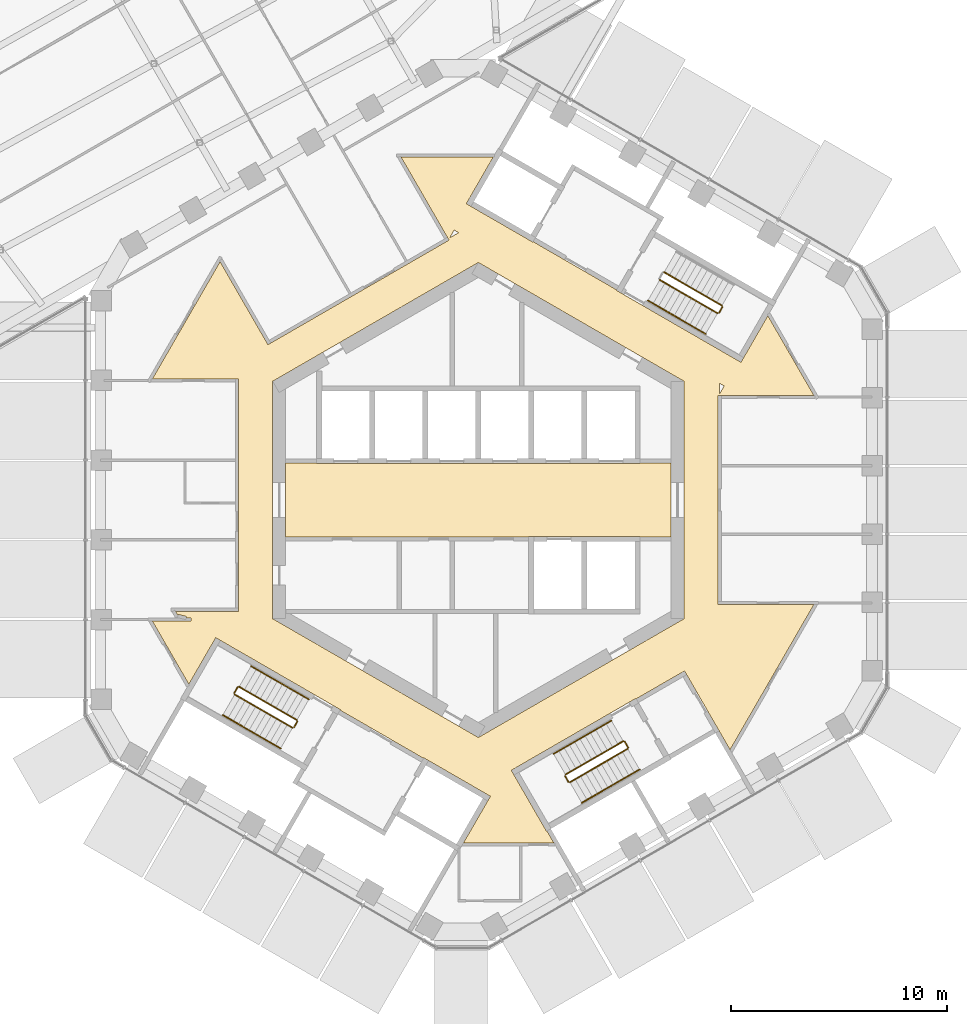
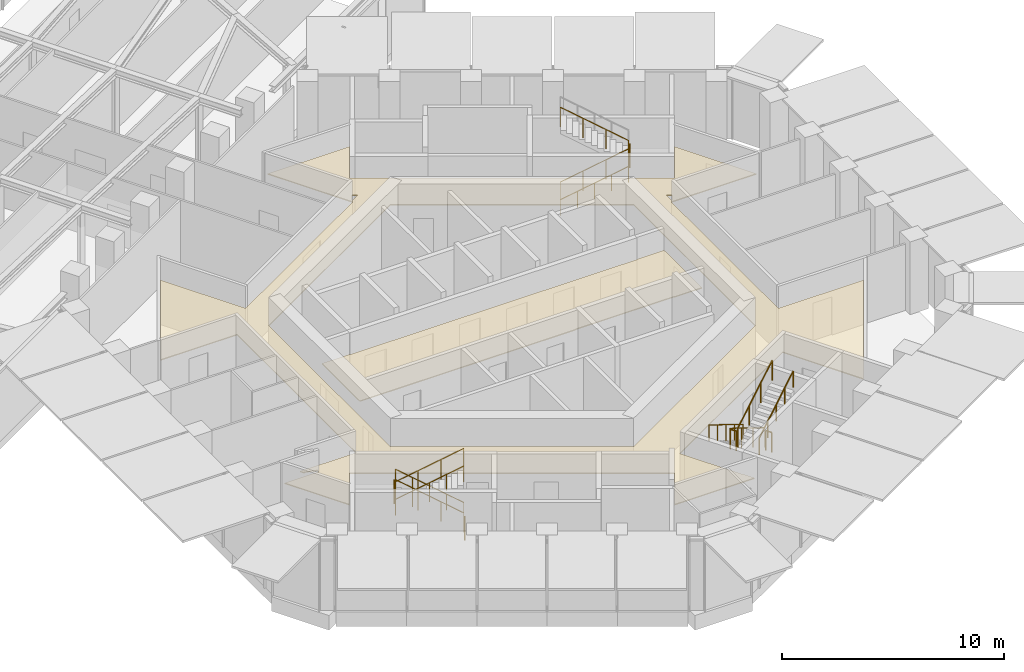
# One storey, part 26 of 27: 21 railings, 2 coverings.
"""IFC4 building model written with IfcOpenShell, lengths in metres."""

from ifc_helpers import new_model, si_unit, direction, frame, origin, origin_2d, place, context, subcontext, project, spatial, polyline, circle, outline, extrude, material, layer, layer_set, type_object, element, save


model = new_model("IFC4")

# Units and contexts
model_context = context("Model", 3, precision=1e-05, world=origin(), true_north=direction((0.0, 1.0)))
body_context = subcontext(model_context, "Body", "Model", "MODEL_VIEW")
ifc_project = project(units=[si_unit("LENGTHUNIT", "METRE"), si_unit("AREAUNIT", "SQUARE_METRE"), si_unit("VOLUMEUNIT", "CUBIC_METRE"), si_unit("PLANEANGLEUNIT", "RADIAN"), si_unit("MASSUNIT", "GRAM", prefix="KILO")], contexts=[model_context])

# Site, building, storey
site_placement = place(None, origin())
site = spatial("IfcSite", under=ifc_project, at=site_placement, CompositionType="ELEMENT")
building_placement = place(site_placement, origin())
building = spatial("IfcBuilding", under=site, at=building_placement, Name="Ayvan Gate Tower", CompositionType="ELEMENT")
storey_placement = place(building_placement, frame((0.0, 0.0, 194.699951171875)))
storey = spatial("IfcBuildingStorey", under=building, at=storey_placement, Name="L52", CompositionType="ELEMENT", Elevation=194.699951171875)

# Coverings
ifc_material_1 = material(Name="Plasterboard suspended ceiling")
ifc_layer = layer(ifc_material_1, 0.050048828125)
ifc_layer_set = layer_set([ifc_layer], Name="Plasterboard suspended ceiling")
covering_type = type_object("IfcCoveringType", Name="CT-SUSP-50", PredefinedType="CEILING", material=ifc_layer_set)
covering_1_placement = place(storey_placement, frame((0.0, 0.0, 2.400146484375)))
element("IfcCovering", 1, at=covering_1_placement, inside=storey, type_object=covering_type, Name="Ceiling Lift Lobby L52", PredefinedType="CEILING", context=body_context, shape_type="SweptSolid", body=[
    extrude(outline(polyline([(7.47509765625, -1.675048828125), (2.324951171875, -1.675048828125), (2.324951171875, -1.699951171875), (-8.89990234375, -1.699951171875), (-8.89990234375, 1.699951171875), (-7.47509765625, 1.699951171875), (-7.47509765625, 1.675048828125), (7.47509765625, 1.675048828125), (7.47509765625, 1.699951171875), (8.89990234375, 1.699951171875), (8.89990234375, -1.699951171875), (7.47509765625, -1.699951171875), (7.47509765625, -1.675048828125)])), origin(), (0.0, 0.0, 1.0), 0.0498046875),
])
covering_2_placement = place(storey_placement, frame((0.0, 0.0, 2.400146484375)))
element("IfcCovering", 2, at=covering_2_placement, inside=storey, type_object=covering_type, Name="Ceiling Ring Corridor L52", PredefinedType="CEILING", context=body_context, shape_type="SweptSolid", body=[
    extrude(outline(polyline([(-13.9931640625, -5.1396484375), (-11.074951171875, -5.1396484375), (-11.074951171875, 5.589599609375), (-15.060546875, 5.589599609375), (-11.93115234375, 11.009765625), (-9.718505859375, 7.17724609375), (-9.588623046875, 7.252197265625), (-1.3564453125, 12.005126953125), (-1.392333984375, 12.067138671875), (-1.42138671875, 12.11767578125), (-3.569091796875, 15.837646484375), (0.685791015625, 15.837646484375), (-0.55615234375, 13.686767578125), (-0.339599609375, 13.561767578125), (2.518310546875, 11.91162109375), (2.53076171875, 11.933349609375), (6.384521484375, 9.70849609375), (6.3720703125, 9.686767578125), (6.588623046875, 9.561767578125), (12.131103515625, 6.36181640625), (12.24609375, 6.56103515625), (13.373046875, 8.5126953125), (15.50048828125, 4.827880859375), (11.074951171875, 4.827880859375), (11.074951171875, -4.827880859375), (15.50048828125, -4.827880859375), (11.62646484375, -11.53759765625), (11.1337890625, -10.6845703125), (11.123779296875, -10.667236328125), (9.623779296875, -8.069091796875), (9.52392578125, -7.89599609375), (7.2939453125, -9.183349609375), (7.281494140625, -9.16162109375), (1.522216796875, -12.48681640625), (1.647216796875, -12.703369140625), (3.147216796875, -15.30126953125), (3.1689453125, -15.288818359375), (3.48583984375, -15.837646484375), (-0.685791015625, -15.837646484375), (0.43115234375, -13.9033203125), (0.55615234375, -13.686767578125), (-2.284423828125, -12.046630859375), (-2.518310546875, -11.91162109375), (-2.53076171875, -11.933349609375), (-6.384521484375, -9.70849609375), (-6.3720703125, -9.686767578125), (-11.897216796875, -6.49658203125), (-12.131103515625, -6.36181640625), (-13.373046875, -8.5126953125), (-15.060546875, -5.589599609375), (-13.271240234375, -5.589599609375), (-13.271240234375, -5.439697265625), (-13.482177734375, -5.439697265625), (-13.46875, -5.3876953125), (-13.869140625, -5.28515625), (-13.8798828125, -5.327392578125), (-13.9931640625, -5.1396484375)]), holes=[polyline([(11.35546875, 5.26806640625), (11.14990234375, 5.38671875), (11.14990234375, 4.912353515625), (11.35546875, 5.26806640625)]), polyline([(0.0, -10.9697265625), (1.614501953125, -10.03759765625), (8.38720703125, -6.127197265625), (9.199951171875, -5.657958984375), (9.5, -5.48486328125), (9.5, 5.48486328125), (0.300048828125, 10.79638671875), (0.0, 10.9697265625), (-8.8662109375, 5.850830078125), (-8.96484375, 5.793701171875), (-9.058837890625, 5.739501953125), (-9.231689453125, 5.639892578125), (-9.5, 5.48486328125), (-9.5, -5.48486328125), (-9.199951171875, -5.657958984375), (0.0, -10.9697265625)]), polyline([(-0.909912109375, 12.349609375), (-1.115478515625, 12.468017578125), (-1.32080078125, 12.1123046875), (-0.909912109375, 12.349609375)])]), origin(), (0.0, 0.0, 1.0), 0.0498046875),
])

# Railings
ifc_material_2 = material(Name="Stainless steel balustrade", Category="steel")
railing_type_1 = type_object("IfcRailingType", Name="RL-GUARD-1100", PredefinedType="GUARDRAIL", material=ifc_material_2)
railing_1_placement = place(storey_placement, frame((8.381103515625, 10.16650390625, 0.166748046875)))
element("IfcRailing", 3, at=railing_1_placement, inside=storey, type_object=railing_type_1, Name="L52 STS1 stair guard 1", PredefinedType="GUARDRAIL", context=body_context, shape_type="SweptSolid", body=[
    extrude(circle(Radius=0.02392578125, at=origin_2d()), frame((0.0, 0.0, 1.076171875), z_axis=(0.744189839504, -0.429649414936, 0.511451721109), x_axis=(0.499992328818, 0.866029832698, 0.0)), (0.0, 0.0, 1.0), 3.58447265625),
    extrude(circle(Radius=0.02099609375, at=origin_2d()), origin(), (0.0, 0.0, 1.0), 1.052001953125),
    extrude(circle(Radius=0.02099609375, at=origin_2d()), frame((0.88916015625, -0.513427734375, 0.611083984375)), (0.0, 0.0, 1.0), 1.052001953125),
    extrude(circle(Radius=0.02099609375, at=origin_2d()), frame((1.7783203125, -1.026611328125, 1.22216796875)), (0.0, 0.0, 1.0), 1.052001953125),
    extrude(circle(Radius=0.02099609375, at=origin_2d()), frame((2.66748046875, -1.5400390625, 1.833251953125)), (0.0, 0.0, 1.0), 1.052001953125),
])
railing_2_placement = place(storey_placement, frame((11.11669921875, 8.644775390625, 2.0)))
element("IfcRailing", 4, at=railing_2_placement, inside=storey, type_object=railing_type_1, Name="L52 STS1 stair guard 2", PredefinedType="GUARDRAIL", context=body_context, shape_type="SweptSolid", body=[
    extrude(circle(Radius=0.02392578125, at=origin_2d()), frame((0.0, 0.0, 1.076171875), z_axis=(0.499949632511, 0.866054481515, 0.0), x_axis=(-0.866054481515, 0.499949632511, 0.0)), (0.0, 0.0, 1.0), 0.31005859375),
    extrude(circle(Radius=0.02099609375, at=origin_2d()), origin(), (0.0, 0.0, 1.0), 1.052001953125),
    extrude(circle(Radius=0.02099609375, at=origin_2d()), frame((0.155029296875, 0.2685546875, 0.0)), (0.0, 0.0, 1.0), 1.052001953125),
])
railing_3_placement = place(storey_placement, frame((11.25341796875, 8.981689453125, 2.166748046875)))
element("IfcRailing", 5, at=railing_3_placement, inside=storey, type_object=railing_type_1, Name="L52 STS1 stair guard 3", PredefinedType="GUARDRAIL", context=body_context, shape_type="SweptSolid", body=[
    extrude(circle(Radius=0.02392578125, at=origin_2d()), frame((0.0, 0.0, 1.076171875), z_axis=(-0.74418122563, 0.429615651263, 0.511492615401), x_axis=(-0.499967199496, -0.866044340336, 0.0)), (0.0, 0.0, 1.0), 3.584228515625),
    extrude(circle(Radius=0.02099609375, at=origin_2d()), origin(), (0.0, 0.0, 1.0), 1.052001953125),
    extrude(circle(Radius=0.02099609375, at=origin_2d()), frame((-0.88916015625, 0.51318359375, 0.611083984375)), (0.0, 0.0, 1.0), 1.052001953125),
    extrude(circle(Radius=0.02099609375, at=origin_2d()), frame((-1.778076171875, 1.026611328125, 1.22216796875)), (0.0, 0.0, 1.0), 1.052001953125),
    extrude(circle(Radius=0.02099609375, at=origin_2d()), frame((-2.667236328125, 1.539794921875, 1.833251953125)), (0.0, 0.0, 1.0), 1.052001953125),
])
railing_4_placement = place(storey_placement, frame((-8.381103515625, -10.16650390625, 0.166748046875)))
element("IfcRailing", 6, at=railing_4_placement, inside=storey, type_object=railing_type_1, Name="L52 STS2 stair guard 1", PredefinedType="GUARDRAIL", context=body_context, shape_type="SweptSolid", body=[
    extrude(circle(Radius=0.02392578125, at=origin_2d()), frame((0.0, 0.0, 1.076171875), z_axis=(-0.744189839504, 0.429649414936, 0.511451721109), x_axis=(-0.499992328818, -0.866029832698, 0.0)), (0.0, 0.0, 1.0), 3.58447265625),
    extrude(circle(Radius=0.02099609375, at=origin_2d()), origin(), (0.0, 0.0, 1.0), 1.052001953125),
    extrude(circle(Radius=0.02099609375, at=origin_2d()), frame((-0.88916015625, 0.513427734375, 0.611083984375)), (0.0, 0.0, 1.0), 1.052001953125),
    extrude(circle(Radius=0.02099609375, at=origin_2d()), frame((-1.7783203125, 1.026611328125, 1.22216796875)), (0.0, 0.0, 1.0), 1.052001953125),
    extrude(circle(Radius=0.02099609375, at=origin_2d()), frame((-2.66748046875, 1.5400390625, 1.833251953125)), (0.0, 0.0, 1.0), 1.052001953125),
])
railing_5_placement = place(storey_placement, frame((-11.11669921875, -8.644775390625, 2.0)))
element("IfcRailing", 7, at=railing_5_placement, inside=storey, type_object=railing_type_1, Name="L52 STS2 stair guard 2", PredefinedType="GUARDRAIL", context=body_context, shape_type="SweptSolid", body=[
    extrude(circle(Radius=0.02392578125, at=origin_2d()), frame((0.0, 0.0, 1.076171875), z_axis=(-0.499949632511, -0.866054481515, 0.0), x_axis=(0.866054481515, -0.499949632511, 0.0)), (0.0, 0.0, 1.0), 0.31005859375),
    extrude(circle(Radius=0.02099609375, at=origin_2d()), origin(), (0.0, 0.0, 1.0), 1.052001953125),
    extrude(circle(Radius=0.02099609375, at=origin_2d()), frame((-0.155029296875, -0.2685546875, 0.0)), (0.0, 0.0, 1.0), 1.052001953125),
])
railing_6_placement = place(storey_placement, frame((-11.25341796875, -8.981689453125, 2.166748046875)))
element("IfcRailing", 8, at=railing_6_placement, inside=storey, type_object=railing_type_1, Name="L52 STS2 stair guard 3", PredefinedType="GUARDRAIL", context=body_context, shape_type="SweptSolid", body=[
    extrude(circle(Radius=0.02392578125, at=origin_2d()), frame((0.0, 0.0, 1.076171875), z_axis=(0.74418122563, -0.429615651263, 0.511492615401), x_axis=(0.499967199496, 0.866044340336, 0.0)), (0.0, 0.0, 1.0), 3.584228515625),
    extrude(circle(Radius=0.02099609375, at=origin_2d()), origin(), (0.0, 0.0, 1.0), 1.052001953125),
    extrude(circle(Radius=0.02099609375, at=origin_2d()), frame((0.88916015625, -0.51318359375, 0.611083984375)), (0.0, 0.0, 1.0), 1.052001953125),
    extrude(circle(Radius=0.02099609375, at=origin_2d()), frame((1.778076171875, -1.026611328125, 1.22216796875)), (0.0, 0.0, 1.0), 1.052001953125),
    extrude(circle(Radius=0.02099609375, at=origin_2d()), frame((2.667236328125, -1.539794921875, 1.833251953125)), (0.0, 0.0, 1.0), 1.052001953125),
])
railing_7_placement = place(storey_placement, frame((-8.36279296875, -10.23486328125, 0.0)))
element("IfcRailing", 9, at=railing_7_placement, inside=storey, type_object=railing_type_1, Name="L52 STS2 stair guard 4", PredefinedType="GUARDRAIL", context=body_context, shape_type="SweptSolid", body=[
    extrude(circle(Radius=0.02392578125, at=origin_2d()), frame((0.0, 0.0, 1.076171875), z_axis=(-0.500290723946, -0.86585748916, 0.0), x_axis=(0.86585748916, -0.500290723946, 0.0)), (0.0, 0.0, 1.0), 0.309814453125),
    extrude(circle(Radius=0.02099609375, at=origin_2d()), origin(), (0.0, 0.0, 1.0), 1.052001953125),
    extrude(circle(Radius=0.02099609375, at=origin_2d()), frame((-0.155029296875, -0.268310546875, 0.0)), (0.0, 0.0, 1.0), 1.052001953125),
])
railing_8_placement = place(storey_placement, frame((6.6923828125, -11.1416015625, 0.166748046875)))
element("IfcRailing", 10, at=railing_8_placement, inside=storey, type_object=railing_type_1, Name="L52 STS3 stair guard 1", PredefinedType="GUARDRAIL", context=body_context, shape_type="SweptSolid", body=[
    extrude(circle(Radius=0.02392578125, at=origin_2d()), frame((0.0, 0.0, 1.076171875), z_axis=(-0.744211616859, -0.429593874019, 0.511466687808), x_axis=(0.499932877268, -0.866064153644, 0.0)), (0.0, 0.0, 1.0), 3.584228515625),
    extrude(circle(Radius=0.02099609375, at=origin_2d()), origin(), (0.0, 0.0, 1.0), 1.052001953125),
    extrude(circle(Radius=0.02099609375, at=origin_2d()), frame((-0.88916015625, -0.51318359375, 0.611083984375)), (0.0, 0.0, 1.0), 1.052001953125),
    extrude(circle(Radius=0.02099609375, at=origin_2d()), frame((-1.7783203125, -1.026611328125, 1.22216796875)), (0.0, 0.0, 1.0), 1.052001953125),
    extrude(circle(Radius=0.02099609375, at=origin_2d()), frame((-2.66748046875, -1.539794921875, 1.833251953125)), (0.0, 0.0, 1.0), 1.052001953125),
])
railing_9_placement = place(storey_placement, frame((4.006591796875, -12.749755859375, 2.0)))
element("IfcRailing", 11, at=railing_9_placement, inside=storey, type_object=railing_type_1, Name="L52 STS3 stair guard 2", PredefinedType="GUARDRAIL", context=body_context, shape_type="SweptSolid", body=[
    extrude(circle(Radius=0.02392578125, at=origin_2d()), frame((0.0, 0.0, 1.076171875), z_axis=(0.499949632511, -0.866054481515, 0.0), x_axis=(0.866054481515, 0.499949632511, 0.0)), (0.0, 0.0, 1.0), 0.31005859375),
    extrude(circle(Radius=0.02099609375, at=origin_2d()), origin(), (0.0, 0.0, 1.0), 1.052001953125),
    extrude(circle(Radius=0.02099609375, at=origin_2d()), frame((0.155029296875, -0.2685546875, 0.0)), (0.0, 0.0, 1.0), 1.052001953125),
])
railing_10_placement = place(storey_placement, frame((4.22998046875, -13.03662109375, 2.166748046875)))
element("IfcRailing", 12, at=railing_10_placement, inside=storey, type_object=railing_type_1, Name="L52 STS3 stair guard 3", PredefinedType="GUARDRAIL", context=body_context, shape_type="SweptSolid", body=[
    extrude(circle(Radius=0.02392578125, at=origin_2d()), frame((0.0, 0.0, 1.076171875), z_axis=(0.744189839504, 0.429649414936, 0.511451721109), x_axis=(-0.499992328818, 0.866029832698, 0.0)), (0.0, 0.0, 1.0), 3.58447265625),
    extrude(circle(Radius=0.02099609375, at=origin_2d()), origin(), (0.0, 0.0, 1.0), 1.052001953125),
    extrude(circle(Radius=0.02099609375, at=origin_2d()), frame((0.88916015625, 0.513427734375, 0.611083984375)), (0.0, 0.0, 1.0), 1.052001953125),
    extrude(circle(Radius=0.02099609375, at=origin_2d()), frame((1.7783203125, 1.026611328125, 1.22216796875)), (0.0, 0.0, 1.0), 1.052001953125),
    extrude(circle(Radius=0.02099609375, at=origin_2d()), frame((2.66748046875, 1.5400390625, 1.833251953125)), (0.0, 0.0, 1.0), 1.052001953125),
])
railing_11_placement = place(storey_placement, frame((6.7607421875, -11.159912109375, 0.0)))
element("IfcRailing", 13, at=railing_11_placement, inside=storey, type_object=railing_type_1, Name="L52 STS3 stair guard 4", PredefinedType="GUARDRAIL", context=body_context, shape_type="SweptSolid", body=[
    extrude(circle(Radius=0.02392578125, at=origin_2d()), frame((0.0, 0.0, 1.076171875), z_axis=(0.500290723946, -0.86585748916, 0.0), x_axis=(0.86585748916, 0.500290723946, 0.0)), (0.0, 0.0, 1.0), 0.309814453125),
    extrude(circle(Radius=0.02099609375, at=origin_2d()), origin(), (0.0, 0.0, 1.0), 1.052001953125),
    extrude(circle(Radius=0.02099609375, at=origin_2d()), frame((0.155029296875, -0.268310546875, 0.0)), (0.0, 0.0, 1.0), 1.052001953125),
])
railing_type_2 = type_object("IfcRailingType", Name="RL-HANDRAIL-900", PredefinedType="HANDRAIL", material=ifc_material_2)
railing_12_placement = place(storey_placement, frame((7.8310546875, 9.2138671875, 0.166748046875)))
element("IfcRailing", 14, at=railing_12_placement, inside=storey, type_object=railing_type_2, Name="L52 STS1 stair handrail 1", PredefinedType="HANDRAIL", context=body_context, shape_type="SweptSolid", body=[
    extrude(circle(Radius=0.02392578125, at=origin_2d()), frame((0.0, 0.0, 0.8759765625), z_axis=(0.7441639146, -0.429634447492, 0.511502013422), x_axis=(0.499992328818, 0.866029832698, 0.0)), (0.0, 0.0, 1.0), 1.792236328125),
    extrude(circle(Radius=0.02099609375, at=origin_2d()), origin(), (0.0, 0.0, 1.0), 0.851806640625),
    extrude(circle(Radius=0.02099609375, at=origin_2d()), frame((0.6669921875, -0.385009765625, 0.45849609375)), (0.0, 0.0, 1.0), 0.851806640625),
    extrude(circle(Radius=0.02099609375, at=origin_2d()), frame((1.333740234375, -0.77001953125, 0.916748046875)), (0.0, 0.0, 1.0), 0.851806640625),
])
railing_13_placement = place(storey_placement, frame((9.164794921875, 8.44384765625, 1.08349609375)))
element("IfcRailing", 15, at=railing_13_placement, inside=storey, type_object=railing_type_2, Name="L52 STS1 stair handrail 2", PredefinedType="HANDRAIL", context=body_context, shape_type="SweptSolid", body=[
    extrude(circle(Radius=0.02392578125, at=origin_2d()), frame((0.0, 0.0, 0.8759765625), z_axis=(0.744215763664, -0.42966438195, 0.511401423539), x_axis=(0.499992328818, 0.866029832698, 0.0)), (0.0, 0.0, 1.0), 1.792236328125),
    extrude(circle(Radius=0.02099609375, at=origin_2d()), origin(), (0.0, 0.0, 1.0), 0.851806640625),
    extrude(circle(Radius=0.02099609375, at=origin_2d()), frame((0.6669921875, -0.385009765625, 0.458251953125)), (0.0, 0.0, 1.0), 0.851806640625),
    extrude(circle(Radius=0.02099609375, at=origin_2d()), frame((1.333740234375, -0.77001953125, 0.91650390625)), (0.0, 0.0, 1.0), 0.851806640625),
])
railing_14_placement = place(storey_placement, frame((-7.8310546875, -9.2138671875, 0.166748046875)))
element("IfcRailing", 16, at=railing_14_placement, inside=storey, type_object=railing_type_2, Name="L52 STS2 stair handrail 1", PredefinedType="HANDRAIL", context=body_context, shape_type="SweptSolid", body=[
    extrude(circle(Radius=0.02392578125, at=origin_2d()), frame((0.0, 0.0, 0.8759765625), z_axis=(-0.7441639146, 0.429634447492, 0.511502013422), x_axis=(-0.499992328818, -0.866029832698, 0.0)), (0.0, 0.0, 1.0), 1.792236328125),
    extrude(circle(Radius=0.02099609375, at=origin_2d()), origin(), (0.0, 0.0, 1.0), 0.851806640625),
    extrude(circle(Radius=0.02099609375, at=origin_2d()), frame((-0.6669921875, 0.385009765625, 0.45849609375)), (0.0, 0.0, 1.0), 0.851806640625),
    extrude(circle(Radius=0.02099609375, at=origin_2d()), frame((-1.333740234375, 0.77001953125, 0.916748046875)), (0.0, 0.0, 1.0), 0.851806640625),
])
railing_15_placement = place(storey_placement, frame((-9.164794921875, -8.44384765625, 1.08349609375)))
element("IfcRailing", 17, at=railing_15_placement, inside=storey, type_object=railing_type_2, Name="L52 STS2 stair handrail 2", PredefinedType="HANDRAIL", context=body_context, shape_type="SweptSolid", body=[
    extrude(circle(Radius=0.02392578125, at=origin_2d()), frame((0.0, 0.0, 0.8759765625), z_axis=(-0.744215763664, 0.42966438195, 0.511401423539), x_axis=(-0.499992328818, -0.866029832698, 0.0)), (0.0, 0.0, 1.0), 1.792236328125),
    extrude(circle(Radius=0.02099609375, at=origin_2d()), origin(), (0.0, 0.0, 1.0), 0.851806640625),
    extrude(circle(Radius=0.02099609375, at=origin_2d()), frame((-0.6669921875, 0.385009765625, 0.458251953125)), (0.0, 0.0, 1.0), 0.851806640625),
    extrude(circle(Radius=0.02099609375, at=origin_2d()), frame((-1.333740234375, 0.77001953125, 0.91650390625)), (0.0, 0.0, 1.0), 0.851806640625),
])
railing_16_placement = place(storey_placement, frame((-11.803466796875, -9.93408203125, 2.166748046875)))
element("IfcRailing", 18, at=railing_16_placement, inside=storey, type_object=railing_type_2, Name="L52 STS2 stair handrail 3", PredefinedType="HANDRAIL", context=body_context, shape_type="SweptSolid", body=[
    extrude(circle(Radius=0.02392578125, at=origin_2d()), frame((0.0, 0.0, 0.8759765625), z_axis=(0.7441639146, -0.429634447492, 0.511502013422), x_axis=(0.499992328818, 0.866029832698, 0.0)), (0.0, 0.0, 1.0), 1.792236328125),
    extrude(circle(Radius=0.02099609375, at=origin_2d()), origin(), (0.0, 0.0, 1.0), 0.851806640625),
    extrude(circle(Radius=0.02099609375, at=origin_2d()), frame((0.6669921875, -0.385009765625, 0.45849609375)), (0.0, 0.0, 1.0), 0.851806640625),
    extrude(circle(Radius=0.02099609375, at=origin_2d()), frame((1.333740234375, -0.77001953125, 0.916748046875)), (0.0, 0.0, 1.0), 0.851806640625),
])
railing_17_placement = place(storey_placement, frame((-10.4697265625, -10.7041015625, 3.08349609375)))
element("IfcRailing", 19, at=railing_17_placement, inside=storey, type_object=railing_type_2, Name="L52 STS2 stair handrail 4", PredefinedType="HANDRAIL", context=body_context, shape_type="SweptSolid", body=[
    extrude(circle(Radius=0.02392578125, at=origin_2d()), frame((0.0, 0.0, 0.8759765625), z_axis=(0.744215763664, -0.42966438195, 0.511401423539), x_axis=(0.499992328818, 0.866029832698, 0.0)), (0.0, 0.0, 1.0), 1.792236328125),
    extrude(circle(Radius=0.02099609375, at=origin_2d()), origin(), (0.0, 0.0, 1.0), 0.851806640625),
    extrude(circle(Radius=0.02099609375, at=origin_2d()), frame((0.6669921875, -0.385009765625, 0.458251953125)), (0.0, 0.0, 1.0), 0.851806640625),
    extrude(circle(Radius=0.02099609375, at=origin_2d()), frame((1.333740234375, -0.77001953125, 0.91650390625)), (0.0, 0.0, 1.0), 0.851806640625),
])
railing_18_placement = place(storey_placement, frame((6.142333984375, -10.18896484375, 0.166748046875)))
element("IfcRailing", 20, at=railing_18_placement, inside=storey, type_object=railing_type_2, Name="L52 STS3 stair handrail 1", PredefinedType="HANDRAIL", context=body_context, shape_type="SweptSolid", body=[
    extrude(circle(Radius=0.02392578125, at=origin_2d()), frame((0.0, 0.0, 0.8759765625), z_axis=(-0.7441639146, -0.429634447492, 0.511502013422), x_axis=(0.499992328818, -0.866029832698, 0.0)), (0.0, 0.0, 1.0), 1.792236328125),
    extrude(circle(Radius=0.02099609375, at=origin_2d()), origin(), (0.0, 0.0, 1.0), 0.851806640625),
    extrude(circle(Radius=0.02099609375, at=origin_2d()), frame((-0.6669921875, -0.385009765625, 0.45849609375)), (0.0, 0.0, 1.0), 0.851806640625),
    extrude(circle(Radius=0.02099609375, at=origin_2d()), frame((-1.333740234375, -0.77001953125, 0.916748046875)), (0.0, 0.0, 1.0), 0.851806640625),
])
railing_19_placement = place(storey_placement, frame((4.80859375, -10.958984375, 1.08349609375)))
element("IfcRailing", 21, at=railing_19_placement, inside=storey, type_object=railing_type_2, Name="L52 STS3 stair handrail 2", PredefinedType="HANDRAIL", context=body_context, shape_type="SweptSolid", body=[
    extrude(circle(Radius=0.02392578125, at=origin_2d()), frame((0.0, 0.0, 0.8759765625), z_axis=(-0.744198540083, -0.429596850399, 0.511483214843), x_axis=(0.499942064311, -0.866058850386, 0.0)), (0.0, 0.0, 1.0), 1.791748046875),
    extrude(circle(Radius=0.02099609375, at=origin_2d()), origin(), (0.0, 0.0, 1.0), 0.851806640625),
    extrude(circle(Radius=0.02099609375, at=origin_2d()), frame((-0.666748046875, -0.384765625, 0.458251953125)), (0.0, 0.0, 1.0), 0.851806640625),
    extrude(circle(Radius=0.02099609375, at=origin_2d()), frame((-1.33349609375, -0.769775390625, 0.91650390625)), (0.0, 0.0, 1.0), 0.851806640625),
])
railing_20_placement = place(storey_placement, frame((4.780029296875, -13.9892578125, 2.166748046875)))
element("IfcRailing", 22, at=railing_20_placement, inside=storey, type_object=railing_type_2, Name="L52 STS3 stair handrail 3", PredefinedType="HANDRAIL", context=body_context, shape_type="SweptSolid", body=[
    extrude(circle(Radius=0.02392578125, at=origin_2d()), frame((0.0, 0.0, 0.8759765625), z_axis=(0.7441639146, 0.429634447492, 0.511502013422), x_axis=(-0.499992328818, 0.866029832698, 0.0)), (0.0, 0.0, 1.0), 1.792236328125),
    extrude(circle(Radius=0.02099609375, at=origin_2d()), origin(), (0.0, 0.0, 1.0), 0.851806640625),
    extrude(circle(Radius=0.02099609375, at=origin_2d()), frame((0.6669921875, 0.385009765625, 0.45849609375)), (0.0, 0.0, 1.0), 0.851806640625),
    extrude(circle(Radius=0.02099609375, at=origin_2d()), frame((1.333740234375, 0.77001953125, 0.916748046875)), (0.0, 0.0, 1.0), 0.851806640625),
])
railing_21_placement = place(storey_placement, frame((6.11376953125, -13.21923828125, 3.08349609375)))
element("IfcRailing", 23, at=railing_21_placement, inside=storey, type_object=railing_type_2, Name="L52 STS3 stair handrail 4", PredefinedType="HANDRAIL", context=body_context, shape_type="SweptSolid", body=[
    extrude(circle(Radius=0.02392578125, at=origin_2d()), frame((0.0, 0.0, 0.8759765625), z_axis=(0.744154977086, 0.429707945391, 0.511453274255), x_axis=(-0.500060979923, 0.865990194147, 0.0)), (0.0, 0.0, 1.0), 1.7919921875),
    extrude(circle(Radius=0.02099609375, at=origin_2d()), origin(), (0.0, 0.0, 1.0), 0.851806640625),
    extrude(circle(Radius=0.02099609375, at=origin_2d()), frame((0.666748046875, 0.385009765625, 0.458251953125)), (0.0, 0.0, 1.0), 0.851806640625),
    extrude(circle(Radius=0.02099609375, at=origin_2d()), frame((1.33349609375, 0.77001953125, 0.91650390625)), (0.0, 0.0, 1.0), 0.851806640625),
])

save(model, "model.ifc")
